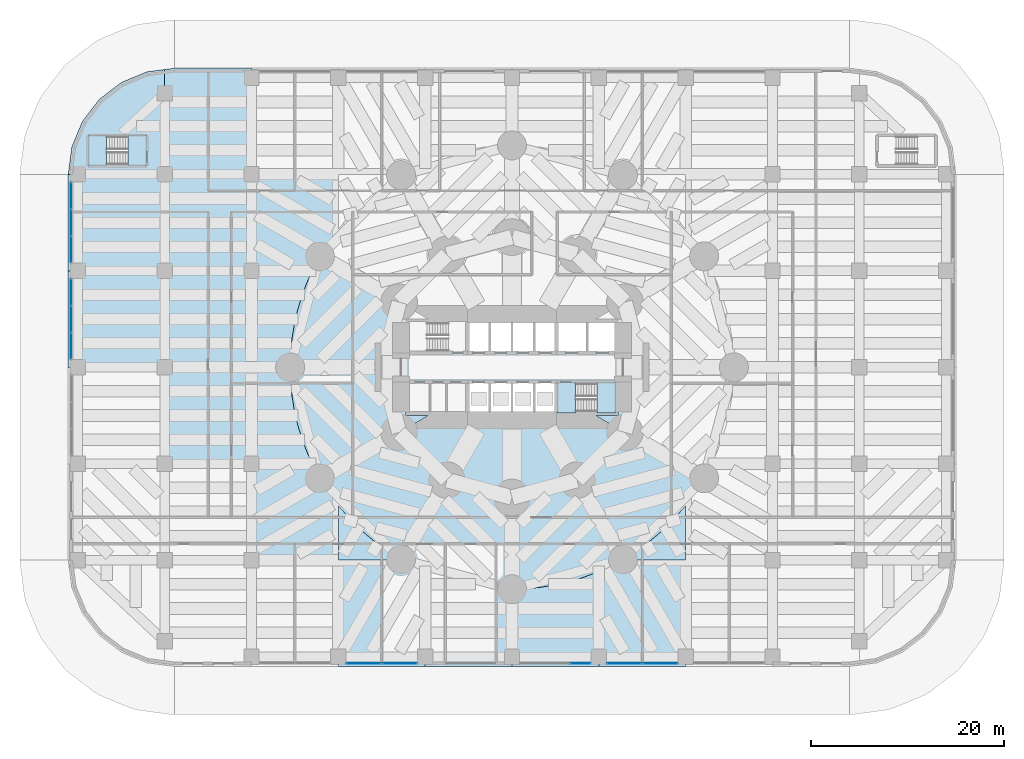
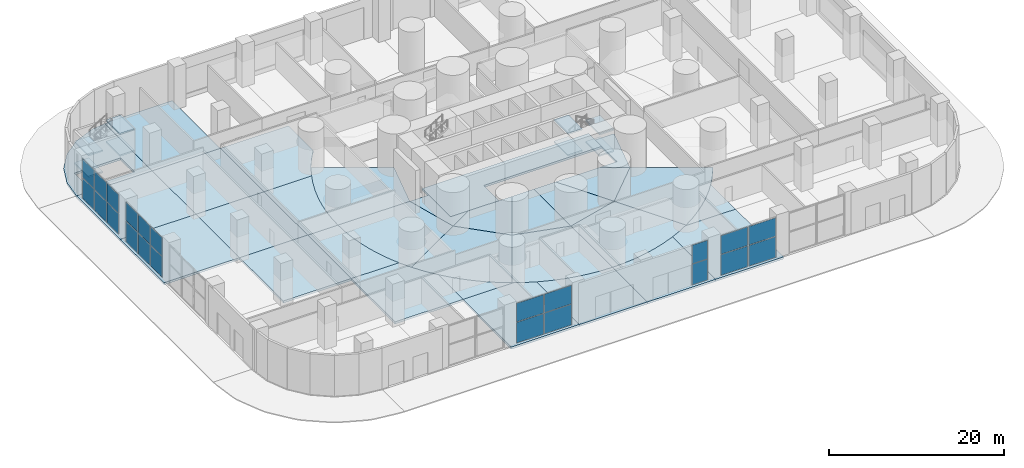
# One storey, part 10 of 20: 38 slabs, 22 plates, 9 elements without a shape of their own.
"""IFC4 building model written with IfcOpenShell, lengths in metres."""

from ifc_helpers import new_model, si_unit, direction, frame, origin, origin_2d, place, context, subcontext, project, spatial, polyline, rectangle, outline, extrude, material, layer, layer_set, type_object, element, aggregate, save


model = new_model("IFC4")

# Units and contexts
model_context = context("Model", 3, precision=1e-05, world=origin(), true_north=direction((0.0, 1.0)))
body_context = subcontext(model_context, "Body", "Model", "MODEL_VIEW")
ifc_project = project(units=[si_unit("LENGTHUNIT", "METRE"), si_unit("AREAUNIT", "SQUARE_METRE"), si_unit("VOLUMEUNIT", "CUBIC_METRE"), si_unit("PLANEANGLEUNIT", "RADIAN"), si_unit("MASSUNIT", "GRAM", prefix="KILO")], contexts=[model_context])

# Site, building, storey
site_placement = place(None, origin())
site = spatial("IfcSite", under=ifc_project, at=site_placement, CompositionType="ELEMENT")
building_placement = place(site_placement, origin())
building = spatial("IfcBuilding", under=site, at=building_placement, Name="Qaws Media Tower", CompositionType="ELEMENT")
storey_placement = place(building_placement, origin())
storey = spatial("IfcBuildingStorey", under=building, at=storey_placement, Name="L00", CompositionType="ELEMENT", Elevation=0.0)

# Curtain wall, plates
ifc_material_1 = material(Name="Aluminium and clear glass", Category="aluminium")
curtain_wall_type = type_object("IfcCurtainWallType", Name="Podium shopfront CW-P", PredefinedType="NOTDEFINED", material=ifc_material_1)
curtain_wall_1_placement = place(storey_placement, origin())
curtain_wall_1 = element("IfcCurtainWall", 1, at=curtain_wall_1_placement, inside=storey, type_object=curtain_wall_type, Name="CWP shopfront L00 W1", PredefinedType="NOTDEFINED")
ifc_material_2 = material(Name="Clear laminated double glazing", Category="glass")
ifc_layer_1 = layer(ifc_material_2, 0.031982421875)
ifc_layer_set_1 = layer_set([ifc_layer_1], Name="Curtain wall glass unit 32")
plate_type = type_object("IfcPlateType", Name="Curtain wall glass unit 32", PredefinedType="CURTAIN_PANEL", material=ifc_layer_set_1)
plate_1_placement = place(storey_placement, frame((14.300048828125, 67.780029296875, 0.080078125), z_axis=(0.0, 0.0, 1.0), x_axis=(0.0, -1.0, 0.0)))
plate_1 = element("IfcPlate", 2, at=plate_1_placement, type_object=plate_type, Name="CWP panel 1.1", PredefinedType="CURTAIN_PANEL", context=body_context, shape_type="SweptSolid", body=[
    extrude(rectangle(XDim=2.679931640625, YDim=0.031982421875, at=origin_2d()), origin(), (0.0, 0.0, 1.0), 2.8798828125),
])
plate_2_placement = place(storey_placement, frame((14.300048828125, 67.780029296875, 3.0400390625), z_axis=(0.0, 0.0, 1.0), x_axis=(0.0, -1.0, 0.0)))
plate_2 = element("IfcPlate", 3, at=plate_2_placement, type_object=plate_type, Name="CWP panel 1.2", PredefinedType="CURTAIN_PANEL", context=body_context, shape_type="SweptSolid", body=[
    extrude(rectangle(XDim=2.679931640625, YDim=0.031982421875, at=origin_2d()), origin(), (0.0, 0.0, 1.0), 2.580078125),
])
plate_3_placement = place(storey_placement, frame((14.300048828125, 65.0, 0.080078125), z_axis=(0.0, 0.0, 1.0), x_axis=(0.0, -1.0, 0.0)))
plate_3 = element("IfcPlate", 4, at=plate_3_placement, type_object=plate_type, Name="CWP panel 2.1", PredefinedType="CURTAIN_PANEL", context=body_context, shape_type="SweptSolid", body=[
    extrude(rectangle(XDim=2.719970703125, YDim=0.031982421875, at=origin_2d()), origin(), (0.0, 0.0, 1.0), 2.8798828125),
])
plate_4_placement = place(storey_placement, frame((14.300048828125, 65.0, 3.0400390625), z_axis=(0.0, 0.0, 1.0), x_axis=(0.0, -1.0, 0.0)))
plate_4 = element("IfcPlate", 5, at=plate_4_placement, type_object=plate_type, Name="CWP panel 2.2", PredefinedType="CURTAIN_PANEL", context=body_context, shape_type="SweptSolid", body=[
    extrude(rectangle(XDim=2.719970703125, YDim=0.031982421875, at=origin_2d()), origin(), (0.0, 0.0, 1.0), 2.580078125),
])
plate_5_placement = place(storey_placement, frame((14.300048828125, 62.219970703125, 0.080078125), z_axis=(0.0, 0.0, 1.0), x_axis=(0.0, -1.0, 0.0)))
plate_5 = element("IfcPlate", 6, at=plate_5_placement, type_object=plate_type, Name="CWP panel 3.1", PredefinedType="CURTAIN_PANEL", context=body_context, shape_type="SweptSolid", body=[
    extrude(rectangle(XDim=2.679931640625, YDim=0.031982421875, at=origin_2d()), origin(), (0.0, 0.0, 1.0), 2.8798828125),
])
plate_6_placement = place(storey_placement, frame((14.300048828125, 62.219970703125, 3.0400390625), z_axis=(0.0, 0.0, 1.0), x_axis=(0.0, -1.0, 0.0)))
plate_6 = element("IfcPlate", 7, at=plate_6_placement, type_object=plate_type, Name="CWP panel 3.2", PredefinedType="CURTAIN_PANEL", context=body_context, shape_type="SweptSolid", body=[
    extrude(rectangle(XDim=2.679931640625, YDim=0.031982421875, at=origin_2d()), origin(), (0.0, 0.0, 1.0), 2.580078125),
])
aggregate(curtain_wall_1, [plate_1, plate_2, plate_3, plate_4, plate_5, plate_6])

curtain_wall_2_placement = place(storey_placement, origin())
curtain_wall_2 = element("IfcCurtainWall", 8, at=curtain_wall_2_placement, inside=storey, type_object=curtain_wall_type, Name="CWP shopfront L00 W2", PredefinedType="NOTDEFINED")
plate_7_placement = place(storey_placement, frame((14.300048828125, 57.780029296875, 0.080078125), z_axis=(0.0, 0.0, 1.0), x_axis=(0.0, -1.0, 0.0)))
plate_7 = element("IfcPlate", 9, at=plate_7_placement, type_object=plate_type, Name="CWP panel 1.1", PredefinedType="CURTAIN_PANEL", context=body_context, shape_type="SweptSolid", body=[
    extrude(rectangle(XDim=2.679931640625, YDim=0.031982421875, at=origin_2d()), origin(), (0.0, 0.0, 1.0), 2.8798828125),
])
plate_8_placement = place(storey_placement, frame((14.300048828125, 57.780029296875, 3.0400390625), z_axis=(0.0, 0.0, 1.0), x_axis=(0.0, -1.0, 0.0)))
plate_8 = element("IfcPlate", 10, at=plate_8_placement, type_object=plate_type, Name="CWP panel 1.2", PredefinedType="CURTAIN_PANEL", context=body_context, shape_type="SweptSolid", body=[
    extrude(rectangle(XDim=2.679931640625, YDim=0.031982421875, at=origin_2d()), origin(), (0.0, 0.0, 1.0), 2.580078125),
])
plate_9_placement = place(storey_placement, frame((14.300048828125, 55.0, 0.080078125), z_axis=(0.0, 0.0, 1.0), x_axis=(0.0, -1.0, 0.0)))
plate_9 = element("IfcPlate", 11, at=plate_9_placement, type_object=plate_type, Name="CWP panel 2.1", PredefinedType="CURTAIN_PANEL", context=body_context, shape_type="SweptSolid", body=[
    extrude(rectangle(XDim=2.719970703125, YDim=0.031982421875, at=origin_2d()), origin(), (0.0, 0.0, 1.0), 2.8798828125),
])
plate_10_placement = place(storey_placement, frame((14.300048828125, 55.0, 3.0400390625), z_axis=(0.0, 0.0, 1.0), x_axis=(0.0, -1.0, 0.0)))
plate_10 = element("IfcPlate", 12, at=plate_10_placement, type_object=plate_type, Name="CWP panel 2.2", PredefinedType="CURTAIN_PANEL", context=body_context, shape_type="SweptSolid", body=[
    extrude(rectangle(XDim=2.719970703125, YDim=0.031982421875, at=origin_2d()), origin(), (0.0, 0.0, 1.0), 2.580078125),
])
plate_11_placement = place(storey_placement, frame((14.300048828125, 52.219970703125, 0.080078125), z_axis=(0.0, 0.0, 1.0), x_axis=(0.0, -1.0, 0.0)))
plate_11 = element("IfcPlate", 13, at=plate_11_placement, type_object=plate_type, Name="CWP panel 3.1", PredefinedType="CURTAIN_PANEL", context=body_context, shape_type="SweptSolid", body=[
    extrude(rectangle(XDim=2.679931640625, YDim=0.031982421875, at=origin_2d()), origin(), (0.0, 0.0, 1.0), 2.8798828125),
])
plate_12_placement = place(storey_placement, frame((14.300048828125, 52.219970703125, 3.0400390625), z_axis=(0.0, 0.0, 1.0), x_axis=(0.0, -1.0, 0.0)))
plate_12 = element("IfcPlate", 14, at=plate_12_placement, type_object=plate_type, Name="CWP panel 3.2", PredefinedType="CURTAIN_PANEL", context=body_context, shape_type="SweptSolid", body=[
    extrude(rectangle(XDim=2.679931640625, YDim=0.031982421875, at=origin_2d()), origin(), (0.0, 0.0, 1.0), 2.580078125),
])
aggregate(curtain_wall_2, [plate_7, plate_8, plate_9, plate_10, plate_11, plate_12])

curtain_wall_3_placement = place(storey_placement, origin())
curtain_wall_3 = element("IfcCurtainWall", 15, at=curtain_wall_3_placement, inside=storey, type_object=curtain_wall_type, Name="CWP shopfront L00 S4", PredefinedType="NOTDEFINED")
plate_13_placement = place(storey_placement, frame((44.64990234375, 19.300048828125, 0.080078125), z_axis=(0.0, 0.0, 1.0), x_axis=(1.0, 0.0, 0.0)))
plate_13 = element("IfcPlate", 16, at=plate_13_placement, type_object=plate_type, Name="CWP panel 1.1", PredefinedType="CURTAIN_PANEL", context=body_context, shape_type="SweptSolid", body=[
    extrude(rectangle(XDim=3.5400390625, YDim=0.031982421875, at=origin_2d()), origin(), (0.0, 0.0, 1.0), 2.8798828125),
])
plate_14_placement = place(storey_placement, frame((44.64990234375, 19.300048828125, 3.0400390625), z_axis=(0.0, 0.0, 1.0), x_axis=(1.0, 0.0, 0.0)))
plate_14 = element("IfcPlate", 17, at=plate_14_placement, type_object=plate_type, Name="CWP panel 1.2", PredefinedType="CURTAIN_PANEL", context=body_context, shape_type="SweptSolid", body=[
    extrude(rectangle(XDim=3.5400390625, YDim=0.031982421875, at=origin_2d()), origin(), (0.0, 0.0, 1.0), 2.580078125),
])
aggregate(curtain_wall_3, [plate_13, plate_14])

curtain_wall_4_placement = place(storey_placement, origin())
curtain_wall_4 = element("IfcCurtainWall", 18, at=curtain_wall_4_placement, inside=storey, type_object=curtain_wall_type, Name="CWP shopfront L00 S5", PredefinedType="NOTDEFINED")
plate_15_placement = place(storey_placement, frame((48.35009765625, 19.300048828125, 0.080078125), z_axis=(0.0, 0.0, 1.0), x_axis=(1.0, 0.0, 0.0)))
plate_15 = element("IfcPlate", 19, at=plate_15_placement, type_object=plate_type, Name="CWP panel 1.1", PredefinedType="CURTAIN_PANEL", context=body_context, shape_type="SweptSolid", body=[
    extrude(rectangle(XDim=3.5400390625, YDim=0.031982421875, at=origin_2d()), origin(), (0.0, 0.0, 1.0), 2.8798828125),
])
plate_16_placement = place(storey_placement, frame((48.35009765625, 19.300048828125, 3.0400390625), z_axis=(0.0, 0.0, 1.0), x_axis=(1.0, 0.0, 0.0)))
plate_16 = element("IfcPlate", 20, at=plate_16_placement, type_object=plate_type, Name="CWP panel 1.2", PredefinedType="CURTAIN_PANEL", context=body_context, shape_type="SweptSolid", body=[
    extrude(rectangle(XDim=3.5400390625, YDim=0.031982421875, at=origin_2d()), origin(), (0.0, 0.0, 1.0), 2.580078125),
])
aggregate(curtain_wall_4, [plate_15, plate_16])

curtain_wall_5_placement = place(storey_placement, origin())
curtain_wall_5 = element("IfcCurtainWall", 21, at=curtain_wall_5_placement, inside=storey, type_object=curtain_wall_type, Name="CWP shopfront L00 S7", PredefinedType="NOTDEFINED")
plate_17_placement = place(storey_placement, frame((67.10009765625, 19.300048828125, 0.080078125), z_axis=(0.0, 0.0, 1.0), x_axis=(1.0, 0.0, 0.0)))
plate_17 = element("IfcPlate", 22, at=plate_17_placement, type_object=plate_type, Name="CWP panel 1.1", PredefinedType="CURTAIN_PANEL", context=body_context, shape_type="SweptSolid", body=[
    extrude(rectangle(XDim=2.0400390625, YDim=0.031982421875, at=origin_2d()), origin(), (0.0, 0.0, 1.0), 2.8798828125),
])
plate_18_placement = place(storey_placement, frame((67.10009765625, 19.300048828125, 3.0400390625), z_axis=(0.0, 0.0, 1.0), x_axis=(1.0, 0.0, 0.0)))
plate_18 = element("IfcPlate", 23, at=plate_18_placement, type_object=plate_type, Name="CWP panel 1.2", PredefinedType="CURTAIN_PANEL", context=body_context, shape_type="SweptSolid", body=[
    extrude(rectangle(XDim=2.0400390625, YDim=0.031982421875, at=origin_2d()), origin(), (0.0, 0.0, 1.0), 2.580078125),
])
aggregate(curtain_wall_5, [plate_17, plate_18])

curtain_wall_6_placement = place(storey_placement, origin())
curtain_wall_6 = element("IfcCurtainWall", 24, at=curtain_wall_6_placement, inside=storey, type_object=curtain_wall_type, Name="CWP shopfront L00 S8", PredefinedType="NOTDEFINED")
plate_19_placement = place(storey_placement, frame((71.64990234375, 19.300048828125, 0.080078125), z_axis=(0.0, 0.0, 1.0), x_axis=(1.0, 0.0, 0.0)))
plate_19 = element("IfcPlate", 25, at=plate_19_placement, type_object=plate_type, Name="CWP panel 1.1", PredefinedType="CURTAIN_PANEL", context=body_context, shape_type="SweptSolid", body=[
    extrude(rectangle(XDim=3.5400390625, YDim=0.031982421875, at=origin_2d()), origin(), (0.0, 0.0, 1.0), 2.8798828125),
])
plate_20_placement = place(storey_placement, frame((71.64990234375, 19.300048828125, 3.0400390625), z_axis=(0.0, 0.0, 1.0), x_axis=(1.0, 0.0, 0.0)))
plate_20 = element("IfcPlate", 26, at=plate_20_placement, type_object=plate_type, Name="CWP panel 1.2", PredefinedType="CURTAIN_PANEL", context=body_context, shape_type="SweptSolid", body=[
    extrude(rectangle(XDim=3.5400390625, YDim=0.031982421875, at=origin_2d()), origin(), (0.0, 0.0, 1.0), 2.580078125),
])
aggregate(curtain_wall_6, [plate_19, plate_20])

curtain_wall_7_placement = place(storey_placement, origin())
curtain_wall_7 = element("IfcCurtainWall", 27, at=curtain_wall_7_placement, inside=storey, type_object=curtain_wall_type, Name="CWP shopfront L00 S9", PredefinedType="NOTDEFINED")
plate_21_placement = place(storey_placement, frame((75.35009765625, 19.300048828125, 0.080078125), z_axis=(0.0, 0.0, 1.0), x_axis=(1.0, 0.0, 0.0)))
plate_21 = element("IfcPlate", 28, at=plate_21_placement, type_object=plate_type, Name="CWP panel 1.1", PredefinedType="CURTAIN_PANEL", context=body_context, shape_type="SweptSolid", body=[
    extrude(rectangle(XDim=3.5400390625, YDim=0.031982421875, at=origin_2d()), origin(), (0.0, 0.0, 1.0), 2.8798828125),
])
plate_22_placement = place(storey_placement, frame((75.35009765625, 19.300048828125, 3.0400390625), z_axis=(0.0, 0.0, 1.0), x_axis=(1.0, 0.0, 0.0)))
plate_22 = element("IfcPlate", 29, at=plate_22_placement, type_object=plate_type, Name="CWP panel 1.2", PredefinedType="CURTAIN_PANEL", context=body_context, shape_type="SweptSolid", body=[
    extrude(rectangle(XDim=3.5400390625, YDim=0.031982421875, at=origin_2d()), origin(), (0.0, 0.0, 1.0), 2.580078125),
])
aggregate(curtain_wall_7, [plate_21, plate_22])

# Slabs
ifc_material_3 = material(Name="Concrete C40/50", Category="concrete")
ifc_layer_2 = layer(ifc_material_3, 0.300048828125)
ifc_layer_set_2 = layer_set([ifc_layer_2], Name="Podium slab 300")
slab_type_1 = type_object("IfcSlabType", Name="Podium slab 300", PredefinedType="FLOOR", material=ifc_layer_set_2)
slab_1_placement = place(storey_placement, frame((0.0, 0.0, -0.300048828125)))
element("IfcSlab", 30, at=slab_1_placement, inside=storey, type_object=slab_type_1, Name="S3 slab L00 bay 1-2/D-E", PredefinedType="FLOOR", context=body_context, shape_type="SweptSolid", body=[
    extrude(outline(polyline([(14.0, 60.0), (24.0, 60.0), (24.0, 50.0), (14.0, 50.0), (14.0, 60.0)])), origin(), (0.0, 0.0, 1.0), 0.300048828125),
])
slab_2_placement = place(storey_placement, frame((0.0, 0.0, -0.300048828125)))
element("IfcSlab", 31, at=slab_2_placement, inside=storey, type_object=slab_type_1, Name="S3 slab L00 bay 1-2/E-F", PredefinedType="FLOOR", context=body_context, shape_type="SweptSolid", body=[
    extrude(outline(polyline([(14.0, 70.0), (24.0, 70.0), (24.0, 60.0), (14.0, 60.0), (14.0, 70.0)])), origin(), (0.0, 0.0, 1.0), 0.300048828125),
])
slab_3_placement = place(storey_placement, frame((0.0, 0.0, -0.300048828125)))
element("IfcSlab", 32, at=slab_3_placement, inside=storey, type_object=slab_type_1, Name="S3 slab L00 bay 1-2/F-G", PredefinedType="FLOOR", context=body_context, shape_type="SweptSolid", body=[
    extrude(outline(polyline([(14.374755859375, 72.846923828125), (15.4736328125, 75.5), (17.2216796875, 77.7783203125), (19.5, 79.5263671875), (22.153076171875, 80.625244140625), (24.0, 80.868408203125), (24.0, 70.0), (14.0, 70.0), (14.374755859375, 72.846923828125)]), holes=[polyline([(16.050048828125, 70.85009765625), (22.14990234375, 70.85009765625), (22.14990234375, 74.050048828125), (16.050048828125, 74.050048828125), (16.050048828125, 70.85009765625)])]), origin(), (0.0, 0.0, 1.0), 0.300048828125),
])
slab_4_placement = place(storey_placement, frame((0.0, 0.0, -0.300048828125)))
element("IfcSlab", 33, at=slab_4_placement, inside=storey, type_object=slab_type_1, Name="S3 slab L00 bay 2-3/C-D", PredefinedType="FLOOR", context=body_context, shape_type="SweptSolid", body=[
    extrude(outline(polyline([(24.0, 40.0), (24.0, 50.0), (33.0, 50.0), (33.0, 40.0), (24.0, 40.0)])), origin(), (0.0, 0.0, 1.0), 0.300048828125),
])
slab_5_placement = place(storey_placement, frame((0.0, 0.0, -0.300048828125)))
element("IfcSlab", 34, at=slab_5_placement, inside=storey, type_object=slab_type_1, Name="S3 slab L00 bay 2-3/D-E", PredefinedType="FLOOR", context=body_context, shape_type="SweptSolid", body=[
    extrude(outline(polyline([(24.0, 50.0), (24.0, 60.0), (33.0, 60.0), (33.0, 50.0), (24.0, 50.0)])), origin(), (0.0, 0.0, 1.0), 0.300048828125),
])
slab_6_placement = place(storey_placement, frame((0.0, 0.0, -0.300048828125)))
element("IfcSlab", 35, at=slab_6_placement, inside=storey, type_object=slab_type_1, Name="S3 slab L00 bay 2-3/E-F", PredefinedType="FLOOR", context=body_context, shape_type="SweptSolid", body=[
    extrude(outline(polyline([(24.0, 60.0), (24.0, 70.0), (33.0, 70.0), (33.0, 60.0), (24.0, 60.0)])), origin(), (0.0, 0.0, 1.0), 0.300048828125),
])
slab_7_placement = place(storey_placement, frame((0.0, 0.0, -0.300048828125)))
element("IfcSlab", 36, at=slab_7_placement, inside=storey, type_object=slab_type_1, Name="S3 slab L00 bay 2-3/F-G", PredefinedType="FLOOR", context=body_context, shape_type="SweptSolid", body=[
    extrude(outline(polyline([(25.0, 81.0), (33.0, 81.0), (33.0, 70.0), (24.0, 70.0), (24.0, 80.868408203125), (25.0, 81.0)])), origin(), (0.0, 0.0, 1.0), 0.300048828125),
])
slab_8_placement = place(storey_placement, frame((0.0, 0.0, -0.300048828125)))
element("IfcSlab", 37, at=slab_8_placement, inside=storey, type_object=slab_type_1, Name="S3 slab L00 bay 3-4/B-C", PredefinedType="FLOOR", context=body_context, shape_type="SweptSolid", body=[
    extrude(outline(polyline([(39.371826171875, 39.827392578125), (40.081298828125, 38.5), (40.876220703125, 37.221923828125), (41.7529296875, 35.99853515625), (42.0, 35.697509765625), (42.0, 30.0), (33.0, 30.0), (33.0, 40.0), (39.293701171875, 40.0), (39.371826171875, 39.827392578125)])), origin(), (0.0, 0.0, 1.0), 0.300048828125),
])
slab_9_placement = place(storey_placement, frame((0.0, 0.0, -0.300048828125)))
element("IfcSlab", 38, at=slab_9_placement, inside=storey, type_object=slab_type_1, Name="S3 slab L00 bay 3-4/C-D", PredefinedType="FLOOR", context=body_context, shape_type="SweptSolid", body=[
    extrude(outline(polyline([(37.04931640625, 48.49560546875), (37.19677734375, 46.997802734375), (37.44189453125, 45.512939453125), (37.78369140625, 44.047119140625), (38.220703125, 42.60693359375), (38.750732421875, 41.1982421875), (39.293701171875, 40.0), (33.0, 40.0), (33.0, 50.0), (37.0, 50.0), (37.04931640625, 48.49560546875)])), origin(), (0.0, 0.0, 1.0), 0.300048828125),
])
slab_10_placement = place(storey_placement, frame((0.0, 0.0, -0.300048828125)))
element("IfcSlab", 39, at=slab_10_placement, inside=storey, type_object=slab_type_1, Name="S3 slab L00 bay 3-4/D-E", PredefinedType="FLOOR", context=body_context, shape_type="SweptSolid", body=[
    extrude(outline(polyline([(38.750732421875, 58.8017578125), (38.220703125, 57.39306640625), (37.78369140625, 55.952880859375), (37.44189453125, 54.487060546875), (37.19677734375, 53.002197265625), (37.04931640625, 51.50439453125), (37.0, 50.0), (33.0, 50.0), (33.0, 60.0), (39.293701171875, 60.0), (38.750732421875, 58.8017578125)])), origin(), (0.0, 0.0, 1.0), 0.300048828125),
])
slab_11_placement = place(storey_placement, frame((0.0, 0.0, -0.300048828125)))
element("IfcSlab", 40, at=slab_11_placement, inside=storey, type_object=slab_type_1, Name="S3 slab L00 bay 3-4/E-F", PredefinedType="FLOOR", context=body_context, shape_type="SweptSolid", body=[
    extrude(outline(polyline([(41.7529296875, 64.00146484375), (40.876220703125, 62.778076171875), (40.081298828125, 61.5), (39.371826171875, 60.172607421875), (39.293701171875, 60.0), (33.0, 60.0), (33.0, 70.0), (42.0, 70.0), (42.0, 64.302490234375), (41.7529296875, 64.00146484375)])), origin(), (0.0, 0.0, 1.0), 0.300048828125),
])
slab_12_placement = place(storey_placement, frame((0.0, 0.0, -0.300048828125)))
element("IfcSlab", 41, at=slab_12_placement, inside=storey, type_object=slab_type_1, Name="S3 slab L00 bay 4-5/A-B", PredefinedType="FLOOR", context=body_context, shape_type="SweptSolid", body=[
    extrude(outline(polyline([(42.0, 19.0), (42.0, 30.0), (48.65234375, 30.0), (49.827392578125, 29.371826171875), (51.0, 28.840576171875), (51.0, 19.0), (42.0, 19.0)])), origin(), (0.0, 0.0, 1.0), 0.300048828125),
])
slab_13_placement = place(storey_placement, frame((0.0, 0.0, -0.300048828125)))
element("IfcSlab", 42, at=slab_13_placement, inside=storey, type_object=slab_type_1, Name="S3 slab L00 bay 4-5/B-C", PredefinedType="FLOOR", context=body_context, shape_type="SweptSolid", body=[
    extrude(outline(polyline([(42.707763671875, 34.8349609375), (43.736572265625, 33.736572265625), (44.8349609375, 32.707763671875), (45.99853515625, 31.7529296875), (47.221923828125, 30.876220703125), (48.5, 30.081298828125), (48.65234375, 30.0), (42.0, 30.0), (42.0, 35.697509765625), (42.707763671875, 34.8349609375)])), origin(), (0.0, 0.0, 1.0), 0.300048828125),
])
slab_14_placement = place(storey_placement, frame((0.0, 0.0, -0.300048828125)))
element("IfcSlab", 43, at=slab_14_placement, inside=storey, type_object=slab_type_1, Name="S3 slab L00 bay 5-6/A-B", PredefinedType="FLOOR", context=body_context, shape_type="SweptSolid", body=[
    extrude(outline(polyline([(51.0, 19.0), (51.0, 28.840576171875), (51.1982421875, 28.750732421875), (52.60693359375, 28.220703125), (54.047119140625, 27.78369140625), (55.512939453125, 27.44189453125), (56.997802734375, 27.19677734375), (58.49560546875, 27.04931640625), (60.0, 27.0), (60.0, 19.0), (51.0, 19.0)])), origin(), (0.0, 0.0, 1.0), 0.300048828125),
])
slab_15_placement = place(storey_placement, frame((0.0, 0.0, -0.300048828125)))
element("IfcSlab", 44, at=slab_15_placement, inside=storey, type_object=slab_type_1, Name="S3 slab L00 bay 6-7/A-B", PredefinedType="FLOOR", context=body_context, shape_type="SweptSolid", body=[
    extrude(outline(polyline([(60.0, 19.0), (60.0, 27.0), (61.50439453125, 27.04931640625), (63.002197265625, 27.19677734375), (64.487060546875, 27.44189453125), (65.952880859375, 27.78369140625), (67.39306640625, 28.220703125), (68.8017578125, 28.750732421875), (69.0, 28.840576171875), (69.0, 19.0), (60.0, 19.0)])), origin(), (0.0, 0.0, 1.0), 0.300048828125),
])
slab_16_placement = place(storey_placement, frame((0.0, 0.0, -0.300048828125)))
element("IfcSlab", 45, at=slab_16_placement, inside=storey, type_object=slab_type_1, Name="S3 slab L00 bay 7-8/A-B", PredefinedType="FLOOR", context=body_context, shape_type="SweptSolid", body=[
    extrude(outline(polyline([(69.0, 19.0), (69.0, 28.840576171875), (70.172607421875, 29.371826171875), (71.34765625, 30.0), (78.0, 30.0), (78.0, 19.0), (69.0, 19.0)])), origin(), (0.0, 0.0, 1.0), 0.300048828125),
])
slab_17_placement = place(storey_placement, frame((0.0, 0.0, -0.300048828125)))
element("IfcSlab", 46, at=slab_17_placement, inside=storey, type_object=slab_type_1, Name="S3 slab L00 bay 7-8/B-C", PredefinedType="FLOOR", context=body_context, shape_type="SweptSolid", body=[
    extrude(outline(polyline([(71.5, 30.081298828125), (72.778076171875, 30.876220703125), (74.00146484375, 31.7529296875), (75.1650390625, 32.707763671875), (76.263427734375, 33.736572265625), (77.292236328125, 34.8349609375), (78.0, 35.697509765625), (78.0, 30.0), (71.34765625, 30.0), (71.5, 30.081298828125)])), origin(), (0.0, 0.0, 1.0), 0.300048828125),
])
slab_18_placement = place(storey_placement, frame((0.0, 0.0, -0.300048828125)))
element("IfcSlab", 47, at=slab_18_placement, inside=storey, type_object=slab_type_1, Name="S3 slab L00 tower sector R11-R13 outer", PredefinedType="FLOOR", context=body_context, shape_type="SweptSolid", body=[
    extrude(outline(polyline([(38.750732421875, 58.8017578125), (39.371826171875, 60.172607421875), (40.081298828125, 61.5), (48.30859375, 56.75), (46.5, 50.0), (37.0, 50.0), (37.04931640625, 51.50439453125), (37.19677734375, 53.002197265625), (37.44189453125, 54.487060546875), (37.78369140625, 55.952880859375), (38.220703125, 57.39306640625), (38.750732421875, 58.8017578125)])), origin(), (0.0, 0.0, 1.0), 0.300048828125),
])
slab_19_placement = place(storey_placement, frame((0.0, 0.0, -0.300048828125)))
element("IfcSlab", 48, at=slab_19_placement, inside=storey, type_object=slab_type_1, Name="S3 slab L00 tower sector R13-R15 outer", PredefinedType="FLOOR", context=body_context, shape_type="SweptSolid", body=[
    extrude(outline(polyline([(37.19677734375, 46.997802734375), (37.04931640625, 48.49560546875), (37.0, 50.0), (46.5, 50.0), (48.30859375, 43.25), (40.081298828125, 38.5), (39.371826171875, 39.827392578125), (38.750732421875, 41.1982421875), (38.220703125, 42.60693359375), (37.78369140625, 44.047119140625), (37.44189453125, 45.512939453125), (37.19677734375, 46.997802734375)])), origin(), (0.0, 0.0, 1.0), 0.300048828125),
])
slab_20_placement = place(storey_placement, frame((0.0, 0.0, -0.300048828125)))
element("IfcSlab", 49, at=slab_20_placement, inside=storey, type_object=slab_type_1, Name="S3 slab L00 tower sector R13-R15 inner", PredefinedType="FLOOR", context=body_context, shape_type="SweptSolid", body=[
    extrude(outline(polyline([(49.0, 50.0), (49.0, 45.0), (51.339599609375, 45.0), (48.30859375, 43.25), (46.5, 50.0), (49.0, 50.0)])), origin(), (0.0, 0.0, 1.0), 0.300048828125),
])
slab_21_placement = place(storey_placement, frame((0.0, 0.0, -0.300048828125)))
element("IfcSlab", 50, at=slab_21_placement, inside=storey, type_object=slab_type_1, Name="S3 slab L00 tower sector R15-R17 outer", PredefinedType="FLOOR", context=body_context, shape_type="SweptSolid", body=[
    extrude(outline(polyline([(41.7529296875, 35.99853515625), (40.876220703125, 37.221923828125), (40.081298828125, 38.5), (48.30859375, 43.25), (53.25, 38.30859375), (48.5, 30.081298828125), (47.221923828125, 30.876220703125), (45.99853515625, 31.7529296875), (44.8349609375, 32.707763671875), (43.736572265625, 33.736572265625), (42.707763671875, 34.8349609375), (41.7529296875, 35.99853515625)])), origin(), (0.0, 0.0, 1.0), 0.300048828125),
])
slab_22_placement = place(storey_placement, frame((0.0, 0.0, -0.300048828125)))
element("IfcSlab", 51, at=slab_22_placement, inside=storey, type_object=slab_type_1, Name="S3 slab L00 tower sector R15-R17 inner", PredefinedType="FLOOR", context=body_context, shape_type="SweptSolid", body=[
    extrude(outline(polyline([(51.339599609375, 45.0), (57.11328125, 45.0), (53.25, 38.30859375), (48.30859375, 43.25), (51.339599609375, 45.0)])), origin(), (0.0, 0.0, 1.0), 0.300048828125),
])
slab_23_placement = place(storey_placement, frame((0.0, 0.0, -0.300048828125)))
element("IfcSlab", 52, at=slab_23_placement, inside=storey, type_object=slab_type_1, Name="S3 slab L00 tower sector R17-R19 outer", PredefinedType="FLOOR", context=body_context, shape_type="SweptSolid", body=[
    extrude(outline(polyline([(51.1982421875, 28.750732421875), (49.827392578125, 29.371826171875), (48.5, 30.081298828125), (53.25, 38.30859375), (60.0, 36.5), (60.0, 27.0), (58.49560546875, 27.04931640625), (56.997802734375, 27.19677734375), (55.512939453125, 27.44189453125), (54.047119140625, 27.78369140625), (52.60693359375, 28.220703125), (51.1982421875, 28.750732421875)])), origin(), (0.0, 0.0, 1.0), 0.300048828125),
])
slab_24_placement = place(storey_placement, frame((0.0, 0.0, -0.300048828125)))
element("IfcSlab", 53, at=slab_24_placement, inside=storey, type_object=slab_type_1, Name="S3 slab L00 tower sector R17-R19 inner", PredefinedType="FLOOR", context=body_context, shape_type="SweptSolid", body=[
    extrude(outline(polyline([(57.11328125, 45.0), (60.0, 45.0), (60.0, 36.5), (53.25, 38.30859375), (57.11328125, 45.0)])), origin(), (0.0, 0.0, 1.0), 0.300048828125),
])
slab_25_placement = place(storey_placement, frame((0.0, 0.0, -0.300048828125)))
element("IfcSlab", 54, at=slab_25_placement, inside=storey, type_object=slab_type_1, Name="S3 slab L00 tower sector R19-R21 outer", PredefinedType="FLOOR", context=body_context, shape_type="SweptSolid", body=[
    extrude(outline(polyline([(63.002197265625, 27.19677734375), (61.50439453125, 27.04931640625), (60.0, 27.0), (60.0, 36.5), (66.75, 38.30859375), (71.5, 30.081298828125), (70.172607421875, 29.371826171875), (68.8017578125, 28.750732421875), (67.39306640625, 28.220703125), (65.952880859375, 27.78369140625), (64.487060546875, 27.44189453125), (63.002197265625, 27.19677734375)])), origin(), (0.0, 0.0, 1.0), 0.300048828125),
])
slab_26_placement = place(storey_placement, frame((0.0, 0.0, -0.300048828125)))
element("IfcSlab", 55, at=slab_26_placement, inside=storey, type_object=slab_type_1, Name="S3 slab L00 tower sector R19-R21 inner", PredefinedType="FLOOR", context=body_context, shape_type="SweptSolid", body=[
    extrude(outline(polyline([(60.0, 45.0), (62.88671875, 45.0), (66.75, 38.30859375), (60.0, 36.5), (60.0, 45.0)])), origin(), (0.0, 0.0, 1.0), 0.300048828125),
])
slab_27_placement = place(storey_placement, frame((0.0, 0.0, -0.300048828125)))
element("IfcSlab", 56, at=slab_27_placement, inside=storey, type_object=slab_type_1, Name="S3 slab L00 tower sector R21-R23 outer", PredefinedType="FLOOR", context=body_context, shape_type="SweptSolid", body=[
    extrude(outline(polyline([(74.00146484375, 31.7529296875), (72.778076171875, 30.876220703125), (71.5, 30.081298828125), (66.75, 38.30859375), (71.69140625, 43.25), (79.918701171875, 38.5), (79.123779296875, 37.221923828125), (78.2470703125, 35.99853515625), (77.292236328125, 34.8349609375), (76.263427734375, 33.736572265625), (75.1650390625, 32.707763671875), (74.00146484375, 31.7529296875)])), origin(), (0.0, 0.0, 1.0), 0.300048828125),
])
slab_28_placement = place(storey_placement, frame((0.0, 0.0, -0.300048828125)))
element("IfcSlab", 57, at=slab_28_placement, inside=storey, type_object=slab_type_1, Name="S3 slab L00 tower sector R21-R23 inner", PredefinedType="FLOOR", context=body_context, shape_type="SweptSolid", body=[
    extrude(outline(polyline([(62.88671875, 45.0), (68.660400390625, 45.0), (71.69140625, 43.25), (66.75, 38.30859375), (62.88671875, 45.0)])), origin(), (0.0, 0.0, 1.0), 0.300048828125),
])
slab_29_placement = place(storey_placement, frame((0.0, 0.0, -0.300048828125)))
element("IfcSlab", 58, at=slab_29_placement, inside=storey, type_object=slab_type_1, Name="S3 slab L00 tower sector R23-R01 inner", PredefinedType="FLOOR", context=body_context, shape_type="SweptSolid", body=[
    extrude(outline(polyline([(68.660400390625, 45.0), (71.0, 45.0), (71.0, 50.0), (73.5, 50.0), (71.69140625, 43.25), (68.660400390625, 45.0)])), origin(), (0.0, 0.0, 1.0), 0.300048828125),
])
slab_30_placement = place(storey_placement, frame((0.0, 0.0, -0.300048828125)))
element("IfcSlab", 59, at=slab_30_placement, inside=storey, type_object=slab_type_1, Name="S3 core floor slab L00", PredefinedType="FLOOR", context=body_context, shape_type="SweptSolid", body=[
    extrude(outline(polyline([(55.39990234375, 48.5), (55.39990234375, 45.0), (49.0, 45.0), (49.0, 51.5), (71.0, 51.5), (71.0, 48.5), (55.39990234375, 48.5)])), origin(), (0.0, 0.0, 1.0), 0.300048828125),
])

# Stair, slabs
ifc_material_4 = material(Name="Concrete C40/50", Category="concrete")
stair_type = type_object("IfcStairType", Name="Exit stair", PredefinedType="HALF_TURN_STAIR", material=ifc_material_4)
stair_1_placement = place(storey_placement, origin())
stair_1 = element("IfcStair", 60, at=stair_1_placement, inside=storey, type_object=stair_type, Name="S2 exit stair L00", PredefinedType="HALF_TURN_STAIR")
ifc_material_5 = material(Name="Concrete C40/50", Category="concrete")
ifc_layer_3 = layer(ifc_material_5, 0.199951171875)
ifc_layer_set_3 = layer_set([ifc_layer_3], Name="Stair landing 200")
slab_type_2 = type_object("IfcSlabType", Name="Stair landing 200", PredefinedType="LANDING", material=ifc_layer_set_3)
slab_31_placement = place(storey_placement, frame((0.0, 0.0, 1.300048828125)))
slab_31 = element("IfcSlab", 61, at=slab_31_placement, type_object=slab_type_2, Name="S2 landing 1", PredefinedType="LANDING", context=body_context, shape_type="SweptSolid", body=[
    extrude(outline(polyline([(68.820068359375, 45.25), (70.75, 45.25), (70.75, 48.449951171875), (68.820068359375, 48.449951171875), (68.820068359375, 45.25)])), origin(), (0.0, 0.0, 1.0), 0.199951171875),
])
slab_32_placement = place(storey_placement, frame((0.0, 0.0, 2.800048828125)))
slab_32 = element("IfcSlab", 62, at=slab_32_placement, type_object=slab_type_2, Name="S2 landing 2", PredefinedType="LANDING", context=body_context, shape_type="SweptSolid", body=[
    extrude(outline(polyline([(64.64990234375, 45.25), (66.580078125, 45.25), (66.580078125, 48.449951171875), (64.64990234375, 48.449951171875), (64.64990234375, 45.25)])), origin(), (0.0, 0.0, 1.0), 0.199951171875),
])
slab_33_placement = place(storey_placement, frame((0.0, 0.0, 4.300048828125)))
slab_33 = element("IfcSlab", 63, at=slab_33_placement, type_object=slab_type_2, Name="S2 landing 3", PredefinedType="LANDING", context=body_context, shape_type="SweptSolid", body=[
    extrude(outline(polyline([(68.820068359375, 45.25), (70.75, 45.25), (70.75, 48.449951171875), (68.820068359375, 48.449951171875), (68.820068359375, 45.25)])), origin(), (0.0, 0.0, 1.0), 0.199951171875),
])
slab_34_placement = place(storey_placement, frame((0.0, 0.0, 5.800048828125)))
slab_34 = element("IfcSlab", 64, at=slab_34_placement, type_object=slab_type_2, Name="S2 landing 4", PredefinedType="LANDING", context=body_context, shape_type="SweptSolid", body=[
    extrude(outline(polyline([(64.64990234375, 45.25), (66.580078125, 45.25), (66.580078125, 48.449951171875), (64.64990234375, 48.449951171875), (64.64990234375, 45.25)])), origin(), (0.0, 0.0, 1.0), 0.199951171875),
])
aggregate(stair_1, [slab_31, slab_32, slab_33, slab_34])

stair_2_placement = place(storey_placement, origin())
stair_2 = element("IfcStair", 65, at=stair_2_placement, inside=storey, type_object=stair_type, Name="S3 exit stair L00", PredefinedType="HALF_TURN_STAIR")
slab_35_placement = place(storey_placement, frame((0.0, 0.0, 1.300048828125)))
slab_35 = element("IfcSlab", 66, at=slab_35_placement, type_object=slab_type_2, Name="S3 landing 1", PredefinedType="LANDING", context=body_context, shape_type="SweptSolid", body=[
    extrude(outline(polyline([(16.050048828125, 70.85009765625), (17.97998046875, 70.85009765625), (17.97998046875, 74.050048828125), (16.050048828125, 74.050048828125), (16.050048828125, 70.85009765625)])), origin(), (0.0, 0.0, 1.0), 0.199951171875),
])
slab_36_placement = place(storey_placement, frame((0.0, 0.0, 2.800048828125)))
slab_36 = element("IfcSlab", 67, at=slab_36_placement, type_object=slab_type_2, Name="S3 landing 2", PredefinedType="LANDING", context=body_context, shape_type="SweptSolid", body=[
    extrude(outline(polyline([(20.219970703125, 70.85009765625), (22.14990234375, 70.85009765625), (22.14990234375, 74.050048828125), (20.219970703125, 74.050048828125), (20.219970703125, 70.85009765625)])), origin(), (0.0, 0.0, 1.0), 0.199951171875),
])
slab_37_placement = place(storey_placement, frame((0.0, 0.0, 4.300048828125)))
slab_37 = element("IfcSlab", 68, at=slab_37_placement, type_object=slab_type_2, Name="S3 landing 3", PredefinedType="LANDING", context=body_context, shape_type="SweptSolid", body=[
    extrude(outline(polyline([(16.050048828125, 70.85009765625), (17.97998046875, 70.85009765625), (17.97998046875, 74.050048828125), (16.050048828125, 74.050048828125), (16.050048828125, 70.85009765625)])), origin(), (0.0, 0.0, 1.0), 0.199951171875),
])
slab_38_placement = place(storey_placement, frame((0.0, 0.0, 5.800048828125)))
slab_38 = element("IfcSlab", 69, at=slab_38_placement, type_object=slab_type_2, Name="S3 landing 4", PredefinedType="LANDING", context=body_context, shape_type="SweptSolid", body=[
    extrude(outline(polyline([(20.219970703125, 70.85009765625), (22.14990234375, 70.85009765625), (22.14990234375, 74.050048828125), (20.219970703125, 74.050048828125), (20.219970703125, 70.85009765625)])), origin(), (0.0, 0.0, 1.0), 0.199951171875),
])
aggregate(stair_2, [slab_35, slab_36, slab_37, slab_38])

save(model, "model.ifc")
